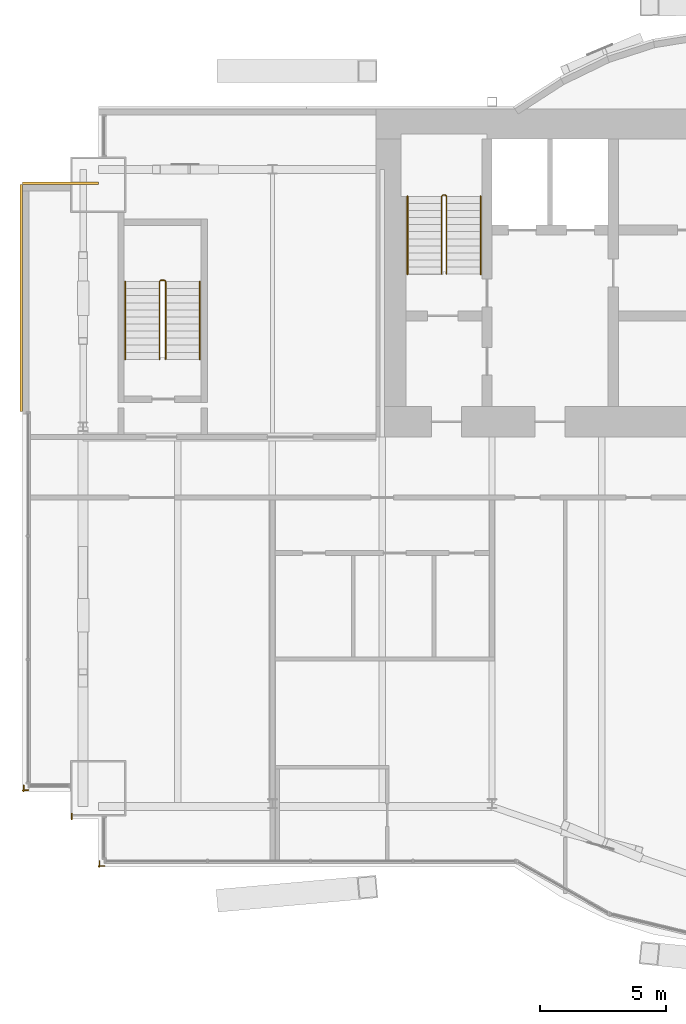
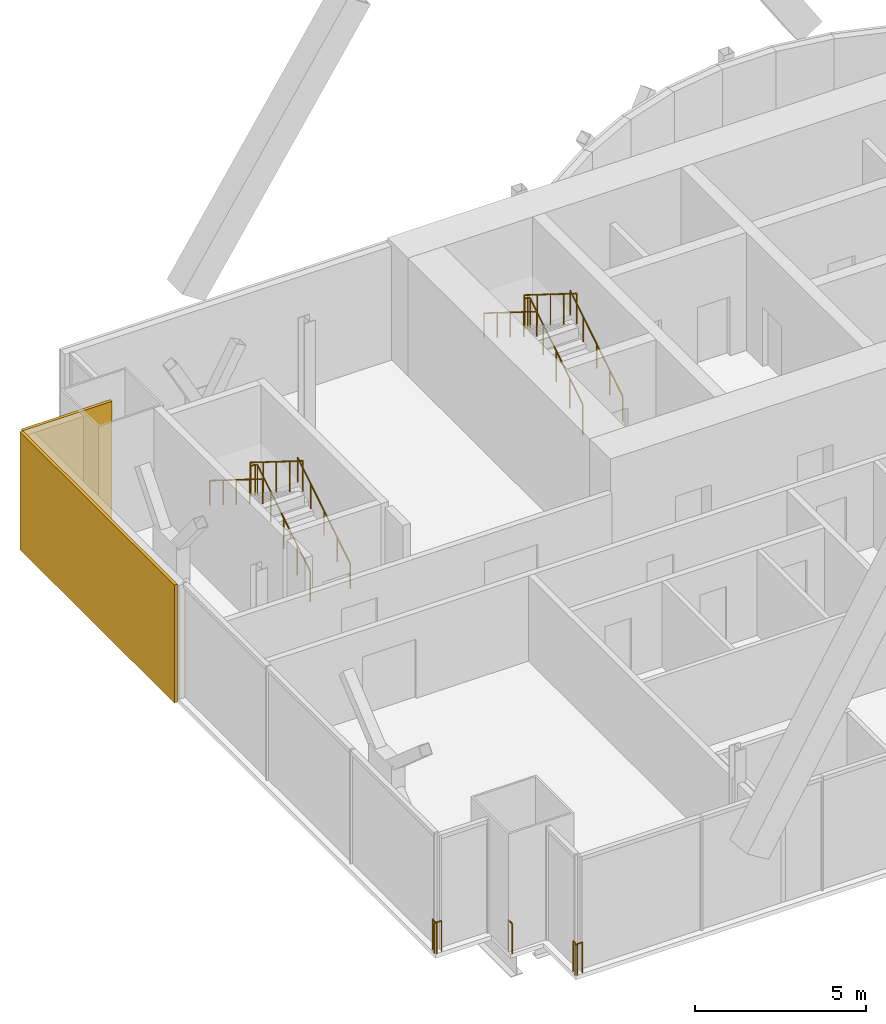
# One storey, part 18 of 20: 9 railings, 2 coverings.
"""IFC4 building model written with IfcOpenShell, lengths in metres."""

from ifc_helpers import new_model, si_unit, direction, frame, origin, origin_2d, place, context, subcontext, project, spatial, rectangle, circle, extrude, material, layer, layer_set, type_object, element, save


model = new_model("IFC4")

# Units and contexts
model_context = context("Model", 3, precision=1e-05, world=origin(), true_north=direction((0.0, 1.0)))
body_context = subcontext(model_context, "Body", "Model", "MODEL_VIEW")
ifc_project = project(units=[si_unit("LENGTHUNIT", "METRE"), si_unit("AREAUNIT", "SQUARE_METRE"), si_unit("VOLUMEUNIT", "CUBIC_METRE"), si_unit("PLANEANGLEUNIT", "RADIAN"), si_unit("MASSUNIT", "GRAM", prefix="KILO")], contexts=[model_context])

# Site, building, storey
site_placement = place(None, origin())
site = spatial("IfcSite", under=ifc_project, at=site_placement, CompositionType="ELEMENT")
building_placement = place(site_placement, origin())
building = spatial("IfcBuilding", under=site, at=building_placement, Name="Bicima Exchange Tower", CompositionType="ELEMENT")
storey_placement = place(building_placement, frame((0.0, 0.0, 245.60009765625)))
storey = spatial("IfcBuildingStorey", under=building, at=storey_placement, Name="L55", CompositionType="ELEMENT", Elevation=245.60009765625)

# Coverings
ifc_material_1 = material(Name="Bronze metal cladding")
ifc_layer_1 = layer(ifc_material_1, 0.004)
ifc_material_2 = material(Name="Ventilated cavity")
ifc_layer_2 = layer(ifc_material_2, 0.06)
ifc_material_3 = material(Name="Galvanised steel rail and mineral wool", Category="steel")
ifc_layer_3 = layer(ifc_material_3, 0.036)
ifc_layer_set = layer_set([ifc_layer_1, ifc_layer_2, ifc_layer_3], Name="Ventilated cavity")
covering_type = type_object("IfcCoveringType", Name="Bronze metal cladding panel 100", PredefinedType="CLADDING", material=ifc_layer_set)
covering_1_placement = place(storey_placement, frame((-34.5, -2.949951171875, -0.14990234375), z_axis=(0.0, 0.0, 1.0), x_axis=(-1.0, 0.0, 0.0)))
element("IfcCovering", 1, at=covering_1_placement, inside=storey, type_object=covering_type, Name="Bronze cladding L55 22.1", PredefinedType="CLADDING", context=body_context, shape_type="SweptSolid", body=[
    extrude(rectangle(XDim=3.0, YDim=0.10009765625, at=origin_2d()), origin(), (0.0, 0.0, 1.0), 4.199951171875),
])
covering_2_placement = place(storey_placement, frame((-36.050048828125, -7.5, -0.14990234375), z_axis=(0.0, 0.0, 1.0), x_axis=(0.0, -1.0, 0.0)))
element("IfcCovering", 2, at=covering_2_placement, inside=storey, type_object=covering_type, Name="Bronze cladding L55 23.1", PredefinedType="CLADDING", context=body_context, shape_type="SweptSolid", body=[
    extrude(rectangle(XDim=9.0, YDim=0.10009765625, at=origin_2d()), origin(), (0.0, 0.0, 1.0), 4.199951171875),
])

# Railings
ifc_material_4 = material(Name="Stainless steel and bonded safety glass", Category="steel")
railing_type_1 = type_object("IfcRailingType", Name="Edge guard 1100", PredefinedType="GUARDRAIL", material=ifc_material_4)
railing_1_placement = place(storey_placement, frame((-35.762939453125, -26.993896484375, 0.0)))
element("IfcRailing", 3, at=railing_1_placement, inside=storey, type_object=railing_type_1, Name="Edge guard L55 277", PredefinedType="GUARDRAIL", context=body_context, shape_type="SweptSolid", body=[
    extrude(circle(Radius=0.02392578125, at=origin_2d()), frame((0.0, 0.0, 1.076171875), z_axis=(-1.0, 0.0, 0.0), x_axis=(0.0, -1.0, 0.0)), (0.0, 0.0, 1.0), 0.237060546875),
    extrude(circle(Radius=0.02392578125, at=origin_2d()), frame((-0.237060546875, 0.0, 1.076171875), z_axis=(0.707106781187, -0.707106781187, 0.0), x_axis=(0.707106781187, 0.707106781187, 0.0)), (0.0, 0.0, 1.0), 0.07080078125),
    extrude(circle(Radius=0.02392578125, at=origin_2d()), frame((-0.18701171875, -0.050048828125, 1.076171875), z_axis=(0.0, 1.0, 0.0), x_axis=(-1.0, 0.0, 0.0)), (0.0, 0.0, 1.0), 0.248046875),
    extrude(circle(Radius=0.02099609375, at=origin_2d()), origin(), (0.0, 0.0, 1.0), 1.052001953125),
    extrude(circle(Radius=0.02099609375, at=origin_2d()), frame((-0.237060546875, 0.0, 0.0)), (0.0, 0.0, 1.0), 1.052001953125),
    extrude(circle(Radius=0.02099609375, at=origin_2d()), frame((-0.18701171875, -0.050048828125, 0.0)), (0.0, 0.0, 1.0), 1.052001953125),
    extrude(circle(Radius=0.02099609375, at=origin_2d()), frame((-0.18701171875, 0.197998046875, 0.0)), (0.0, 0.0, 1.0), 1.052001953125),
])
railing_2_placement = place(storey_placement, frame((-32.75, -29.993896484375, 0.0)))
element("IfcRailing", 4, at=railing_2_placement, inside=storey, type_object=railing_type_1, Name="Edge guard L55 281", PredefinedType="GUARDRAIL", context=body_context, shape_type="SweptSolid", body=[
    extrude(circle(Radius=0.02392578125, at=origin_2d()), frame((0.0, 0.0, 1.076171875), z_axis=(-1.0, 0.0, 0.0), x_axis=(0.0, -1.0, 0.0)), (0.0, 0.0, 1.0), 0.25),
    extrude(circle(Radius=0.02392578125, at=origin_2d()), frame((-0.25, 0.0, 1.076171875), z_axis=(0.707106781187, -0.707106781187, 0.0), x_axis=(0.707106781187, 0.707106781187, 0.0)), (0.0, 0.0, 1.0), 0.07080078125),
    extrude(circle(Radius=0.02392578125, at=origin_2d()), frame((-0.199951171875, -0.050048828125, 1.076171875), z_axis=(0.0, 1.0, 0.0), x_axis=(-1.0, 0.0, 0.0)), (0.0, 0.0, 1.0), 0.238037109375),
    extrude(circle(Radius=0.02099609375, at=origin_2d()), origin(), (0.0, 0.0, 1.0), 1.052001953125),
    extrude(circle(Radius=0.02099609375, at=origin_2d()), frame((-0.25, 0.0, 0.0)), (0.0, 0.0, 1.0), 1.052001953125),
    extrude(circle(Radius=0.02099609375, at=origin_2d()), frame((-0.199951171875, -0.050048828125, 0.0)), (0.0, 0.0, 1.0), 1.052001953125),
    extrude(circle(Radius=0.02099609375, at=origin_2d()), frame((-0.199951171875, 0.18798828125, 0.0)), (0.0, 0.0, 1.0), 1.052001953125),
])
railing_3_placement = place(storey_placement, frame((-34.050048828125, -28.14404296875, 0.0)))
element("IfcRailing", 5, at=railing_3_placement, inside=storey, type_object=railing_type_1, Name="Edge guard L55 282", PredefinedType="GUARDRAIL", context=body_context, shape_type="SweptSolid", body=[
    extrude(circle(Radius=0.02392578125, at=origin_2d()), frame((0.0, 0.0, 1.076171875), z_axis=(0.0, 1.0, 0.0), x_axis=(-1.0, 0.0, 0.0)), (0.0, 0.0, 1.0), 0.219970703125),
    extrude(circle(Radius=0.02099609375, at=origin_2d()), origin(), (0.0, 0.0, 1.0), 1.052001953125),
    extrude(circle(Radius=0.02099609375, at=origin_2d()), frame((0.0, 0.219970703125, 0.0)), (0.0, 0.0, 1.0), 1.052001953125),
])
ifc_material_5 = material(Name="Stainless steel", Category="steel")
railing_type_2 = type_object("IfcRailingType", Name="Stair guard 1100", PredefinedType="GUARDRAIL", material=ifc_material_5)
railing_4_placement = place(storey_placement, frame((-19.199951171875, -6.550048828125, 0.1748046875)))
element("IfcRailing", 6, at=railing_4_placement, inside=storey, type_object=railing_type_2, Name="L55 ST-W stair guard 1", PredefinedType="GUARDRAIL", context=body_context, shape_type="SweptSolid", body=[
    extrude(circle(Radius=0.02392578125, at=origin_2d()), frame((0.0, 0.0, 1.076171875), z_axis=(0.0, 0.847998304005, 0.529998940003), x_axis=(-1.0, 0.0, 0.0)), (0.0, 0.0, 1.0), 3.632080078125),
    extrude(circle(Radius=0.02392578125, at=origin_2d()), frame((0.0, 3.080078125, 3.0009765625), z_axis=(-0.707106781187, 0.707106781187, 0.0), x_axis=(-0.707106781187, -0.707106781187, 0.0)), (0.0, 0.0, 1.0), 0.07080078125),
    extrude(circle(Radius=0.02392578125, at=origin_2d()), frame((-0.050048828125, 3.130126953125, 3.0009765625), z_axis=(-1.0, 0.0, 0.0), x_axis=(0.0, -1.0, 0.0)), (0.0, 0.0, 1.0), 0.10009765625),
    extrude(circle(Radius=0.02392578125, at=origin_2d()), frame((-0.150146484375, 3.130126953125, 3.0009765625), z_axis=(-0.263862480399, -0.265155923931, 0.927399011991), x_axis=(0.708833529934, -0.705375805398, 0.0)), (0.0, 0.0, 1.0), 0.188720703125),
    extrude(circle(Radius=0.02392578125, at=origin_2d()), frame((-0.199951171875, 3.080078125, 3.17626953125), z_axis=(0.0, -0.847998304005, 0.529998940003), x_axis=(1.0, 0.0, 0.0)), (0.0, 0.0, 1.0), 3.632080078125),
    extrude(circle(Radius=0.02099609375, at=origin_2d()), origin(), (0.0, 0.0, 1.0), 1.052001953125),
    extrude(circle(Radius=0.02099609375, at=origin_2d()), frame((0.0, 0.77001953125, 0.481201171875)), (0.0, 0.0, 1.0), 1.052001953125),
    extrude(circle(Radius=0.02099609375, at=origin_2d()), frame((0.0, 1.5400390625, 0.96240234375)), (0.0, 0.0, 1.0), 1.052001953125),
    extrude(circle(Radius=0.02099609375, at=origin_2d()), frame((0.0, 2.31005859375, 1.44384765625)), (0.0, 0.0, 1.0), 1.052001953125),
    extrude(circle(Radius=0.02099609375, at=origin_2d()), frame((0.0, 3.080078125, 1.925048828125)), (0.0, 0.0, 1.0), 1.052001953125),
    extrude(circle(Radius=0.02099609375, at=origin_2d()), frame((-0.050048828125, 3.130126953125, 1.925048828125)), (0.0, 0.0, 1.0), 1.052001953125),
    extrude(circle(Radius=0.02099609375, at=origin_2d()), frame((-0.150146484375, 3.130126953125, 1.925048828125)), (0.0, 0.0, 1.0), 1.052001953125),
    extrude(circle(Radius=0.02099609375, at=origin_2d()), frame((-0.199951171875, 3.080078125, 2.10009765625)), (0.0, 0.0, 1.0), 1.052001953125),
    extrude(circle(Radius=0.02099609375, at=origin_2d()), frame((-0.199951171875, 2.31005859375, 2.581298828125)), (0.0, 0.0, 1.0), 1.052001953125),
    extrude(circle(Radius=0.02099609375, at=origin_2d()), frame((-0.199951171875, 1.5400390625, 3.0625)), (0.0, 0.0, 1.0), 1.052001953125),
    extrude(circle(Radius=0.02099609375, at=origin_2d()), frame((-0.199951171875, 0.77001953125, 3.5439453125)), (0.0, 0.0, 1.0), 1.052001953125),
    extrude(circle(Radius=0.02099609375, at=origin_2d()), frame((-0.199951171875, 0.0, 4.025146484375)), (0.0, 0.0, 1.0), 1.052001953125),
])
railing_5_placement = place(storey_placement, frame((-30.324951171875, -9.925048828125, 0.1748046875)))
element("IfcRailing", 7, at=railing_5_placement, inside=storey, type_object=railing_type_2, Name="L55 ST-WW stair guard 1", PredefinedType="GUARDRAIL", context=body_context, shape_type="SweptSolid", body=[
    extrude(circle(Radius=0.02392578125, at=origin_2d()), frame((0.0, 0.0, 1.076171875), z_axis=(0.0, 0.847998304005, 0.529998940003), x_axis=(-1.0, 0.0, 0.0)), (0.0, 0.0, 1.0), 3.632080078125),
    extrude(circle(Radius=0.02392578125, at=origin_2d()), frame((0.0, 3.080078125, 3.0009765625), z_axis=(-0.707106781187, 0.707106781187, 0.0), x_axis=(-0.707106781187, -0.707106781187, 0.0)), (0.0, 0.0, 1.0), 0.07080078125),
    extrude(circle(Radius=0.02392578125, at=origin_2d()), frame((-0.050048828125, 3.130126953125, 3.0009765625), z_axis=(-1.0, 0.0, 0.0), x_axis=(0.0, -1.0, 0.0)), (0.0, 0.0, 1.0), 0.14990234375),
    extrude(circle(Radius=0.02392578125, at=origin_2d()), frame((-0.199951171875, 3.130126953125, 3.0009765625), z_axis=(-0.265065253269, -0.265065253269, 0.927081885822), x_axis=(0.707106781187, -0.707106781187, 0.0)), (0.0, 0.0, 1.0), 0.188720703125),
    extrude(circle(Radius=0.02392578125, at=origin_2d()), frame((-0.25, 3.080078125, 3.17626953125), z_axis=(0.0, -0.847998304005, 0.529998940003), x_axis=(1.0, 0.0, 0.0)), (0.0, 0.0, 1.0), 3.632080078125),
    extrude(circle(Radius=0.02099609375, at=origin_2d()), origin(), (0.0, 0.0, 1.0), 1.052001953125),
    extrude(circle(Radius=0.02099609375, at=origin_2d()), frame((0.0, 0.77001953125, 0.481201171875)), (0.0, 0.0, 1.0), 1.052001953125),
    extrude(circle(Radius=0.02099609375, at=origin_2d()), frame((0.0, 1.5400390625, 0.96240234375)), (0.0, 0.0, 1.0), 1.052001953125),
    extrude(circle(Radius=0.02099609375, at=origin_2d()), frame((0.0, 2.31005859375, 1.44384765625)), (0.0, 0.0, 1.0), 1.052001953125),
    extrude(circle(Radius=0.02099609375, at=origin_2d()), frame((0.0, 3.080078125, 1.925048828125)), (0.0, 0.0, 1.0), 1.052001953125),
    extrude(circle(Radius=0.02099609375, at=origin_2d()), frame((-0.050048828125, 3.130126953125, 1.925048828125)), (0.0, 0.0, 1.0), 1.052001953125),
    extrude(circle(Radius=0.02099609375, at=origin_2d()), frame((-0.199951171875, 3.130126953125, 1.925048828125)), (0.0, 0.0, 1.0), 1.052001953125),
    extrude(circle(Radius=0.02099609375, at=origin_2d()), frame((-0.25, 3.080078125, 2.10009765625)), (0.0, 0.0, 1.0), 1.052001953125),
    extrude(circle(Radius=0.02099609375, at=origin_2d()), frame((-0.25, 2.31005859375, 2.581298828125)), (0.0, 0.0, 1.0), 1.052001953125),
    extrude(circle(Radius=0.02099609375, at=origin_2d()), frame((-0.25, 1.5400390625, 3.0625)), (0.0, 0.0, 1.0), 1.052001953125),
    extrude(circle(Radius=0.02099609375, at=origin_2d()), frame((-0.25, 0.77001953125, 3.5439453125)), (0.0, 0.0, 1.0), 1.052001953125),
    extrude(circle(Radius=0.02099609375, at=origin_2d()), frame((-0.25, 0.0, 4.025146484375)), (0.0, 0.0, 1.0), 1.052001953125),
])
railing_type_3 = type_object("IfcRailingType", Name="Stair handrail 900", PredefinedType="HANDRAIL", material=ifc_material_5)
railing_6_placement = place(storey_placement, frame((-17.85009765625, -6.550048828125, 0.1748046875)))
element("IfcRailing", 8, at=railing_6_placement, inside=storey, type_object=railing_type_3, Name="L55 ST-W stair handrail 1", PredefinedType="HANDRAIL", context=body_context, shape_type="SweptSolid", body=[
    extrude(circle(Radius=0.02392578125, at=origin_2d()), frame((0.0, 0.0, 0.8759765625), z_axis=(0.0, 0.847998304005, 0.529998940003), x_axis=(-1.0, 0.0, 0.0)), (0.0, 0.0, 1.0), 3.632080078125),
    extrude(circle(Radius=0.02099609375, at=origin_2d()), origin(), (0.0, 0.0, 1.0), 0.851806640625),
    extrude(circle(Radius=0.02099609375, at=origin_2d()), frame((0.0, 0.77001953125, 0.481201171875)), (0.0, 0.0, 1.0), 0.851806640625),
    extrude(circle(Radius=0.02099609375, at=origin_2d()), frame((0.0, 1.5400390625, 0.96240234375)), (0.0, 0.0, 1.0), 0.851806640625),
    extrude(circle(Radius=0.02099609375, at=origin_2d()), frame((0.0, 2.31005859375, 1.44384765625)), (0.0, 0.0, 1.0), 0.851806640625),
    extrude(circle(Radius=0.02099609375, at=origin_2d()), frame((0.0, 3.080078125, 1.925048828125)), (0.0, 0.0, 1.0), 0.851806640625),
])
railing_7_placement = place(storey_placement, frame((-20.75, -3.469970703125, 2.303955078125)))
element("IfcRailing", 9, at=railing_7_placement, inside=storey, type_object=railing_type_3, Name="L55 ST-W stair handrail 2", PredefinedType="HANDRAIL", context=body_context, shape_type="SweptSolid", body=[
    extrude(circle(Radius=0.02392578125, at=origin_2d()), frame((0.0, 0.0, 0.8759765625), z_axis=(0.0, -0.847998304005, 0.529998940003), x_axis=(1.0, 0.0, 0.0)), (0.0, 0.0, 1.0), 3.632080078125),
    extrude(circle(Radius=0.02099609375, at=origin_2d()), origin(), (0.0, 0.0, 1.0), 0.851806640625),
    extrude(circle(Radius=0.02099609375, at=origin_2d()), frame((0.0, -0.77001953125, 0.481201171875)), (0.0, 0.0, 1.0), 0.851806640625),
    extrude(circle(Radius=0.02099609375, at=origin_2d()), frame((0.0, -1.5400390625, 0.96240234375)), (0.0, 0.0, 1.0), 0.851806640625),
    extrude(circle(Radius=0.02099609375, at=origin_2d()), frame((0.0, -2.31005859375, 1.44384765625)), (0.0, 0.0, 1.0), 0.851806640625),
    extrude(circle(Radius=0.02099609375, at=origin_2d()), frame((0.0, -3.080078125, 1.925048828125)), (0.0, 0.0, 1.0), 0.851806640625),
])
railing_8_placement = place(storey_placement, frame((-28.97509765625, -9.925048828125, 0.1748046875)))
element("IfcRailing", 10, at=railing_8_placement, inside=storey, type_object=railing_type_3, Name="L55 ST-WW stair handrail 1", PredefinedType="HANDRAIL", context=body_context, shape_type="SweptSolid", body=[
    extrude(circle(Radius=0.02392578125, at=origin_2d()), frame((0.0, 0.0, 0.8759765625), z_axis=(0.0, 0.847998304005, 0.529998940003), x_axis=(-1.0, 0.0, 0.0)), (0.0, 0.0, 1.0), 3.632080078125),
    extrude(circle(Radius=0.02099609375, at=origin_2d()), origin(), (0.0, 0.0, 1.0), 0.851806640625),
    extrude(circle(Radius=0.02099609375, at=origin_2d()), frame((0.0, 0.77001953125, 0.481201171875)), (0.0, 0.0, 1.0), 0.851806640625),
    extrude(circle(Radius=0.02099609375, at=origin_2d()), frame((0.0, 1.5400390625, 0.96240234375)), (0.0, 0.0, 1.0), 0.851806640625),
    extrude(circle(Radius=0.02099609375, at=origin_2d()), frame((0.0, 2.31005859375, 1.44384765625)), (0.0, 0.0, 1.0), 0.851806640625),
    extrude(circle(Radius=0.02099609375, at=origin_2d()), frame((0.0, 3.080078125, 1.925048828125)), (0.0, 0.0, 1.0), 0.851806640625),
])
railing_9_placement = place(storey_placement, frame((-31.925048828125, -6.844970703125, 2.303955078125)))
element("IfcRailing", 11, at=railing_9_placement, inside=storey, type_object=railing_type_3, Name="L55 ST-WW stair handrail 2", PredefinedType="HANDRAIL", context=body_context, shape_type="SweptSolid", body=[
    extrude(circle(Radius=0.02392578125, at=origin_2d()), frame((0.0, 0.0, 0.8759765625), z_axis=(0.0, -0.847998304005, 0.529998940003), x_axis=(1.0, 0.0, 0.0)), (0.0, 0.0, 1.0), 3.632080078125),
    extrude(circle(Radius=0.02099609375, at=origin_2d()), origin(), (0.0, 0.0, 1.0), 0.851806640625),
    extrude(circle(Radius=0.02099609375, at=origin_2d()), frame((0.0, -0.77001953125, 0.481201171875)), (0.0, 0.0, 1.0), 0.851806640625),
    extrude(circle(Radius=0.02099609375, at=origin_2d()), frame((0.0, -1.5400390625, 0.96240234375)), (0.0, 0.0, 1.0), 0.851806640625),
    extrude(circle(Radius=0.02099609375, at=origin_2d()), frame((0.0, -2.31005859375, 1.44384765625)), (0.0, 0.0, 1.0), 0.851806640625),
    extrude(circle(Radius=0.02099609375, at=origin_2d()), frame((0.0, -3.080078125, 1.925048828125)), (0.0, 0.0, 1.0), 0.851806640625),
])

save(model, "model.ifc")
